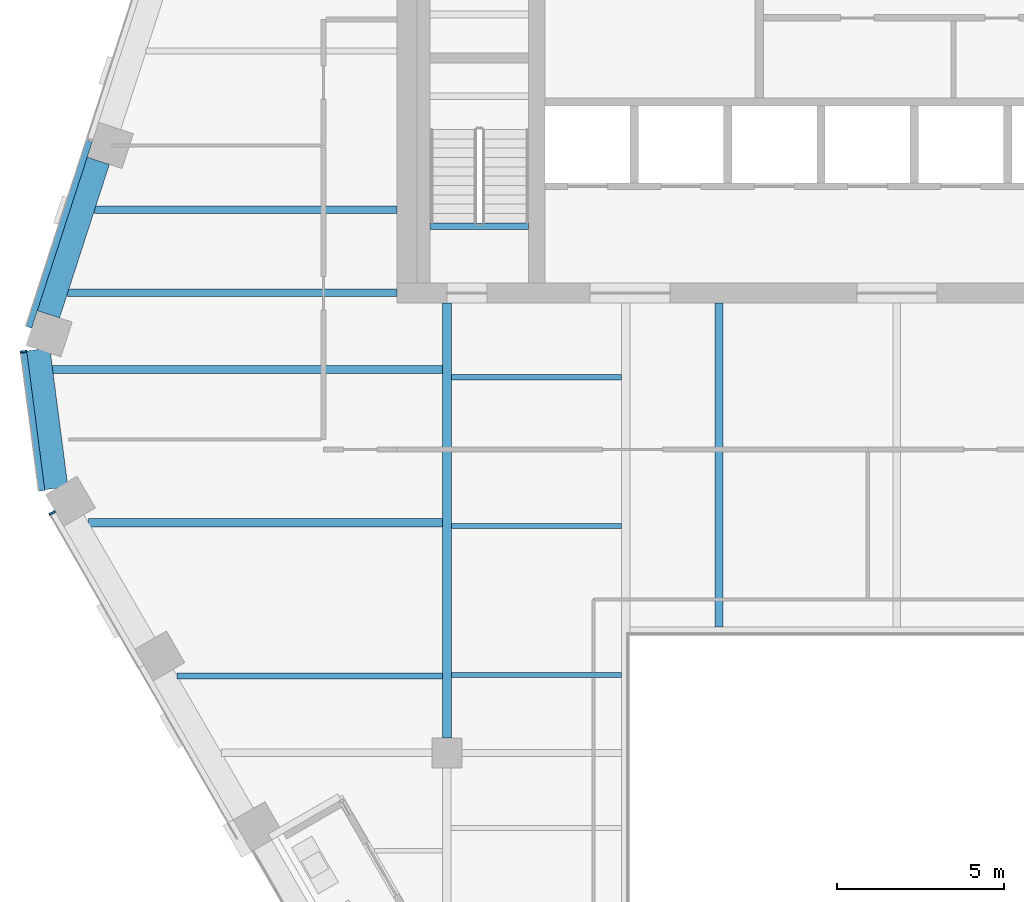
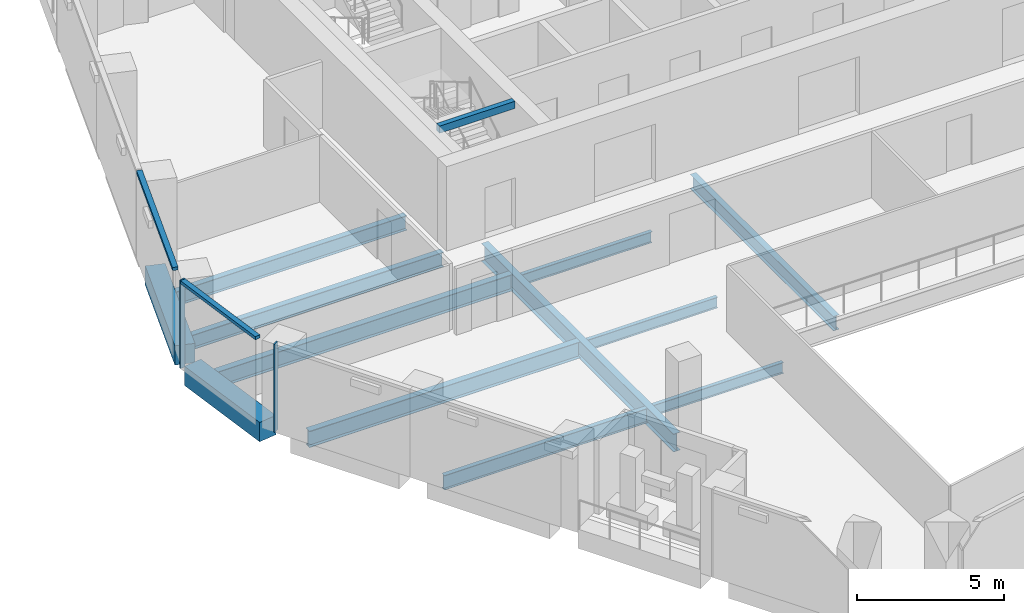
# One storey, part 4 of 25: 13 beams, 4 members, 3 elements without a shape of their own.
"""IFC4 building model written with IfcOpenShell, lengths in metres."""

from ifc_helpers import new_model, si_unit, direction, frame, origin, origin_2d, place, context, subcontext, project, spatial, rectangle, i_section, extrude, material, layer, layer_set, material_profile, profile_set, type_object, element, aggregate, save


model = new_model("IFC4")

# Units and contexts
model_context = context("Model", 3, precision=1e-05, world=origin(), true_north=direction((0.0, 1.0)))
body_context = subcontext(model_context, "Body", "Model", "MODEL_VIEW")
ifc_project = project(units=[si_unit("LENGTHUNIT", "METRE"), si_unit("AREAUNIT", "SQUARE_METRE"), si_unit("VOLUMEUNIT", "CUBIC_METRE"), si_unit("PLANEANGLEUNIT", "RADIAN"), si_unit("MASSUNIT", "GRAM", prefix="KILO")], contexts=[model_context])

# Site, building, storey
site_placement = place(None, origin())
site = spatial("IfcSite", under=ifc_project, at=site_placement, CompositionType="ELEMENT")
building_placement = place(site_placement, origin())
building = spatial("IfcBuilding", under=site, at=building_placement, Name="Isthmus Gate Tower", CompositionType="ELEMENT")
storey_placement = place(building_placement, frame((0.0, 0.0, 249.14990234375)))
storey = spatial("IfcBuildingStorey", under=building, at=storey_placement, Name="L63", CompositionType="ELEMENT", Elevation=249.14990234375)

# Curtain wall, member
ifc_material_1 = material(Name="Aluminium, pale champagne anodised", Category="aluminium")
ifc_layer = layer(ifc_material_1, 0.199951171875)
ifc_layer_set = layer_set([ifc_layer], Name="CW-1 UNITISED CURTAIN WALL 200 DEEP")
curtain_wall_type = type_object("IfcCurtainWallType", Name="CW-1 UNITISED CURTAIN WALL 200 DEEP", PredefinedType="NOTDEFINED", material=ifc_layer_set)
curtain_wall_1_placement = place(storey_placement, origin())
curtain_wall_1 = element("IfcCurtainWall", 1, at=curtain_wall_1_placement, inside=storey, type_object=curtain_wall_type, Name="CW-1 NW-SW L63", PredefinedType="NOTDEFINED")
ifc_material_2 = material(Name="Aluminium, pale champagne anodised", Category="aluminium")
ifc_material_profile_1 = material_profile(ifc_material_2, rectangle(XDim=0.06005859375, YDim=0.199951171875, at=origin_2d()), Name="60x200")
ifc_profile_set_1 = profile_set([ifc_material_profile_1], Name="Aluminium, pale champagne anodised")
member_type_1 = type_object("IfcMemberType", Name="CW-1 MULLION 60 X 200", PredefinedType="MULLION", material=ifc_profile_set_1)
member_1_placement = place(storey_placement, frame((-26.205322265625, -1.4658203125, 0.0), z_axis=(0.0, 0.0, 1.0), x_axis=(0.129164534, -0.991623175988, 0.0)))
member_1 = element("IfcMember", 2, at=member_1_placement, type_object=member_type_1, Name="CW-1 mullion", PredefinedType="MULLION", context=body_context, shape_type="SweptSolid", body=[
    extrude(rectangle(XDim=0.06005859375, YDim=0.199951171875, at=origin_2d()), origin(), (0.0, 0.0, 1.0), 3.650146484375),
])

curtain_wall_2_placement = place(storey_placement, origin())
curtain_wall_2 = element("IfcCurtainWall", 3, at=curtain_wall_2_placement, inside=storey, type_object=curtain_wall_type, Name="CW-1 SW L63", PredefinedType="NOTDEFINED")
member_2_placement = place(storey_placement, frame((-25.3427734375, -6.304931640625, 0.0), z_axis=(0.0, 0.0, 1.0), x_axis=(0.5, -0.866025403784, 0.0)))
member_2 = element("IfcMember", 4, at=member_2_placement, type_object=member_type_1, Name="CW-1 mullion", PredefinedType="MULLION", context=body_context, shape_type="SweptSolid", body=[
    extrude(rectangle(XDim=0.06005859375, YDim=0.199951171875, at=origin_2d()), origin(), (0.0, 0.0, 1.0), 3.650146484375),
])
aggregate(curtain_wall_2, [member_2])

curtain_wall_3_placement = place(storey_placement, origin())
curtain_wall_3 = element("IfcCurtainWall", 5, at=curtain_wall_3_placement, inside=storey, type_object=curtain_wall_type, Name="CW-1 NW L63", PredefinedType="NOTDEFINED")
ifc_material_3 = material(Name="Aluminium, pale champagne anodised", Category="aluminium")
ifc_material_profile_2 = material_profile(ifc_material_3, rectangle(XDim=0.199951171875, YDim=0.1298828125, at=origin_2d()), Name="200x130")
ifc_profile_set_2 = profile_set([ifc_material_profile_2], Name="Aluminium, pale champagne anodised")
member_type_2 = type_object("IfcMemberType", Name="CW-1 TRANSOM 200 X 130", PredefinedType="USERDEFINED", material=ifc_profile_set_2)
member_3_placement = place(storey_placement, frame((-24.236083984375, 4.866455078125, 3.585205078125), z_axis=(-0.309009113534, -0.9510590769, 0.0), x_axis=(0.9510590769, -0.309009113534, 0.0)))
member_3 = element("IfcMember", 6, at=member_3_placement, type_object=member_type_2, Name="CW-1 transom", ObjectType="TRANSOM", PredefinedType="USERDEFINED", context=body_context, shape_type="SweptSolid", body=[
    extrude(rectangle(XDim=0.199951171875, YDim=0.1298828125, at=origin_2d()), origin(), (0.0, 0.0, 1.0), 5.882080078125),
])
aggregate(curtain_wall_3, [member_3])

# Member
member_4_placement = place(storey_placement, frame((-26.20166015625, -1.495361328125, 3.585205078125), z_axis=(0.129206893318, -0.991617657527, 0.0), x_axis=(0.991617657527, 0.129206893318, 0.0)))
member_4 = element("IfcMember", 7, at=member_4_placement, type_object=member_type_2, Name="CW-1 transom", ObjectType="TRANSOM", PredefinedType="USERDEFINED", context=body_context, shape_type="SweptSolid", body=[
    extrude(rectangle(XDim=0.199951171875, YDim=0.1298828125, at=origin_2d()), origin(), (0.0, 0.0, 1.0), 4.181640625),
])

aggregate(curtain_wall_1, [member_1, member_4])

# Beams
ifc_material_4 = material(Name="Concrete f'c 50 MPa", Category="concrete")
ifc_material_profile_3 = material_profile(ifc_material_4, rectangle(XDim=0.699951171875, YDim=0.800048828125, at=origin_2d()), Name="RC 700X800")
ifc_profile_set_3 = profile_set([ifc_material_profile_3], Name="Concrete f'c 50 MPa")
beam_type_1 = type_object("IfcBeamType", Name="RC SPANDREL 700 X 800", PredefinedType="SPANDREL", material=ifc_profile_set_3)
beam_1_placement = place(storey_placement, frame((-25.218017578125, -5.563232421875, -0.39990234375), z_axis=(-0.129137748309, 0.991626664608, 0.0), x_axis=(-0.991626664608, -0.129137748309, 0.0)))
element("IfcBeam", 8, at=beam_1_placement, inside=storey, type_object=beam_type_1, Name="str-spandrel-L63-20", PredefinedType="SPANDREL", context=body_context, shape_type="SweptSolid", body=[
    extrude(rectangle(XDim=0.699951171875, YDim=0.800048828125, at=origin_2d()), origin(), (0.0, 0.0, 1.0), 4.197021484375),
])
beam_2_placement = place(storey_placement, frame((-25.455810546875, -0.34375, -0.39990234375), z_axis=(0.309033626624, 0.951051111989, 0.0), x_axis=(-0.951051111989, 0.309033626624, 0.0)))
element("IfcBeam", 9, at=beam_2_placement, inside=storey, type_object=beam_type_1, Name="str-spandrel-L63-21", PredefinedType="SPANDREL", context=body_context, shape_type="SweptSolid", body=[
    extrude(rectangle(XDim=0.699951171875, YDim=0.800048828125, at=origin_2d()), origin(), (0.0, 0.0, 1.0), 4.842041015625),
])
ifc_material_5 = material(Name="Concrete f'c 40 MPa", Category="concrete")
ifc_material_profile_4 = material_profile(ifc_material_5, rectangle(XDim=0.199951171875, YDim=0.300048828125, at=origin_2d()), Name="STAIR LANDING BEAM RC 200 X 300")
ifc_profile_set_4 = profile_set([ifc_material_profile_4], Name="Concrete f'c 40 MPa")
beam_type_2 = type_object("IfcBeamType", Name="STAIR LANDING BEAM RC 200 X 300", PredefinedType="BEAM", material=ifc_profile_set_4)
beam_3_placement = place(storey_placement, frame((-14.0, 2.2998046875, 3.35009765625), z_axis=(1.0, 0.0, 0.0), x_axis=(0.0, 1.0, 0.0)))
element("IfcBeam", 10, at=beam_3_placement, inside=storey, type_object=beam_type_2, Name="L63 ST7 floor-edge seat beam", PredefinedType="BEAM", context=body_context, shape_type="SweptSolid", body=[
    extrude(rectangle(XDim=0.199951171875, YDim=0.300048828125, at=origin_2d()), origin(), (0.0, 0.0, 1.0), 2.949951171875),
])
ifc_material_6 = material(Name="Structural steel ASTM A992 Gr 50", Category="steel")
ifc_material_profile_5 = material_profile(ifc_material_6, i_section(OverallWidth=0.15234375, OverallDepth=0.45068359375, WebThickness=0.0078125, FlangeThickness=0.010986328125, at=origin_2d()), Name="W18X35")
ifc_profile_set_5 = profile_set([ifc_material_profile_5], Name="Structural steel ASTM A992 Gr 50")
beam_type_3 = type_object("IfcBeamType", Name="STEEL FLOOR BEAM W18X35", PredefinedType="JOIST", material=ifc_profile_set_5)
for number, where, z_axis, x_axis, name in (
    (11, (-13.3681640625, -11.16259765625, -0.375244140625), (1.0, 0.0, 0.0), (0.0, 1.0, 0.0), "str-beam-L63-05-00"),
    (12, (-13.3681640625, -6.697509765625, -0.375244140625), (1.0, 0.0, 0.0), (0.0, 1.0, 0.0), "str-beam-L63-05-01"),
    (13, (-13.3681640625, -2.232421875, -0.375244140625), (1.0, 0.0, 0.0), (0.0, 1.0, 0.0), "str-beam-L63-05-02"),
):
    element("IfcBeam", number, at=place(storey_placement, frame(where, z_axis=z_axis, x_axis=x_axis)), inside=storey, type_object=beam_type_3, Name=name, PredefinedType="JOIST", context=body_context, shape_type="SweptSolid", body=[
        extrude(i_section(OverallWidth=0.15234375, OverallDepth=0.45068359375, WebThickness=0.0078125, FlangeThickness=0.010986328125, at=origin_2d()), origin(), (0.0, 0.0, 1.0), 5.104736328125),
    ])
ifc_material_7 = material(Name="Structural steel ASTM A992 Gr 50", Category="steel")
ifc_material_profile_6 = material_profile(ifc_material_7, i_section(OverallWidth=0.177734375, OverallDepth=0.60009765625, WebThickness=0.009521484375, FlangeThickness=0.0126953125, at=origin_2d()), Name="W24X55")
ifc_profile_set_6 = profile_set([ifc_material_profile_6], Name="Structural steel ASTM A992 Gr 50")
beam_type_4 = type_object("IfcBeamType", Name="STEEL FLOOR BEAM W24X55", PredefinedType="JOIST", material=ifc_profile_set_6)
beam_4_placement = place(storey_placement, frame((-21.593017578125, -11.199951171875, -0.449951171875), z_axis=(1.0, 0.0, 0.0), x_axis=(0.0, 1.0, 0.0)))
element("IfcBeam", 14, at=beam_4_placement, inside=storey, type_object=beam_type_4, Name="str-beam-L63-01-00", PredefinedType="JOIST", context=body_context, shape_type="SweptSolid", body=[
    extrude(i_section(OverallWidth=0.177734375, OverallDepth=0.60009765625, WebThickness=0.009521484375, FlangeThickness=0.0126953125, at=origin_2d()), origin(), (0.0, 0.0, 1.0), 7.961181640625),
])
ifc_material_8 = material(Name="Structural steel ASTM A992 Gr 50", Category="steel")
ifc_material_profile_7 = material_profile(ifc_material_8, i_section(OverallWidth=0.228515625, OverallDepth=0.603271484375, WebThickness=0.010986328125, FlangeThickness=0.014404296875, at=origin_2d()), Name="W24X68")
ifc_profile_set_7 = profile_set([ifc_material_profile_7], Name="Structural steel ASTM A992 Gr 50")
beam_type_5 = type_object("IfcBeamType", Name="STEEL FLOOR BEAM W24X68", PredefinedType="JOIST", material=ifc_profile_set_7)
beam_5_placement = place(storey_placement, frame((-24.06787109375, 2.795166015625, -0.451416015625), z_axis=(1.0, 0.0, 0.0), x_axis=(0.0, 1.0, 0.0)))
element("IfcBeam", 15, at=beam_5_placement, inside=storey, type_object=beam_type_5, Name="str-beam-L63-00-00", PredefinedType="JOIST", context=body_context, shape_type="SweptSolid", body=[
    extrude(i_section(OverallWidth=0.228515625, OverallDepth=0.603271484375, WebThickness=0.010986328125, FlangeThickness=0.014404296875, at=origin_2d()), origin(), (0.0, 0.0, 1.0), 9.06787109375),
])
beam_6_placement = place(storey_placement, frame((-5.333251953125, -9.7333984375, -0.451416015625), z_axis=(0.0, 1.0, 0.0), x_axis=(-1.0, 0.0, 0.0)))
element("IfcBeam", 16, at=beam_6_placement, inside=storey, type_object=beam_type_5, Name="str-beam-L63-10-00", PredefinedType="JOIST", context=body_context, shape_type="SweptSolid", body=[
    extrude(i_section(OverallWidth=0.228515625, OverallDepth=0.603271484375, WebThickness=0.010986328125, FlangeThickness=0.014404296875, at=origin_2d()), origin(), (0.0, 0.0, 1.0), 9.7333984375),
])
ifc_material_9 = material(Name="Structural steel ASTM A992 Gr 50", Category="steel")
ifc_material_profile_8 = material_profile(ifc_material_9, i_section(OverallWidth=0.25390625, OverallDepth=0.679443359375, WebThickness=0.010986328125, FlangeThickness=0.015869140625, at=origin_2d()), Name="W27X84")
ifc_profile_set_8 = profile_set([ifc_material_profile_8], Name="Structural steel ASTM A992 Gr 50")
beam_type_6 = type_object("IfcBeamType", Name="STEEL FLOOR BEAM W27X84", PredefinedType="JOIST", material=ifc_profile_set_8)
beam_7_placement = place(storey_placement, frame((-24.248779296875, -6.60009765625, -0.489501953125), z_axis=(1.0, 0.0, 0.0), x_axis=(0.0, 1.0, 0.0)))
element("IfcBeam", 17, at=beam_7_placement, inside=storey, type_object=beam_type_6, Name="str-beam-L63-01-01", PredefinedType="JOIST", context=body_context, shape_type="SweptSolid", body=[
    extrude(i_section(OverallWidth=0.25390625, OverallDepth=0.679443359375, WebThickness=0.010986328125, FlangeThickness=0.015869140625, at=origin_2d()), origin(), (0.0, 0.0, 1.0), 10.616943359375),
])
beam_8_placement = place(storey_placement, frame((-25.3291015625, -2.0, -0.489501953125), z_axis=(1.0, 0.0, 0.0), x_axis=(0.0, 1.0, 0.0)))
element("IfcBeam", 18, at=beam_8_placement, inside=storey, type_object=beam_type_6, Name="str-beam-L63-01-02", PredefinedType="JOIST", context=body_context, shape_type="SweptSolid", body=[
    extrude(i_section(OverallWidth=0.25390625, OverallDepth=0.679443359375, WebThickness=0.010986328125, FlangeThickness=0.015869140625, at=origin_2d()), origin(), (0.0, 0.0, 1.0), 11.697265625),
])
ifc_material_10 = material(Name="Structural steel ASTM A992 Gr 50", Category="steel")
ifc_material_profile_9 = material_profile(ifc_material_10, i_section(OverallWidth=0.228515625, OverallDepth=0.6064453125, WebThickness=0.010986328125, FlangeThickness=0.017578125, at=origin_2d()), Name="W24X76")
ifc_profile_set_9 = profile_set([ifc_material_profile_9], Name="Structural steel ASTM A992 Gr 50")
beam_type_7 = type_object("IfcBeamType", Name="STEEL GIRDER W24X76", PredefinedType="BEAM", material=ifc_profile_set_9)
beam_9_placement = place(storey_placement, frame((-15.0, 0.300048828125, -0.453125), z_axis=(-1.0, 0.0, 0.0), x_axis=(0.0, -1.0, 0.0)))
element("IfcBeam", 19, at=beam_9_placement, inside=storey, type_object=beam_type_7, Name="str-girder-L63-09", PredefinedType="BEAM", context=body_context, shape_type="SweptSolid", body=[
    extrude(i_section(OverallWidth=0.228515625, OverallDepth=0.6064453125, WebThickness=0.010986328125, FlangeThickness=0.017578125, at=origin_2d()), origin(), (0.0, 0.0, 1.0), 9.878662109375),
])
ifc_material_11 = material(Name="Structural steel ASTM A992 Gr 50", Category="steel")
ifc_material_profile_10 = material_profile(ifc_material_11, i_section(OverallWidth=0.263427734375, OverallDepth=0.749267578125, WebThickness=0.0126953125, FlangeThickness=0.015869140625, at=origin_2d()), Name="W30X90")
ifc_profile_set_10 = profile_set([ifc_material_profile_10], Name="Structural steel ASTM A992 Gr 50")
beam_type_8 = type_object("IfcBeamType", Name="STEEL GIRDER W30X90", PredefinedType="BEAM", material=ifc_profile_set_10)
beam_10_placement = place(storey_placement, frame((-13.5, -13.050048828125, -0.524658203125), z_axis=(0.0, 1.0, 0.0), x_axis=(-1.0, 0.0, 0.0)))
element("IfcBeam", 20, at=beam_10_placement, inside=storey, type_object=beam_type_8, Name="str-girder-L63-06", PredefinedType="BEAM", context=body_context, shape_type="SweptSolid", body=[
    extrude(i_section(OverallWidth=0.263427734375, OverallDepth=0.749267578125, WebThickness=0.0126953125, FlangeThickness=0.015869140625, at=origin_2d()), origin(), (0.0, 0.0, 1.0), 13.050048828125),
])

save(model, "model.ifc")
